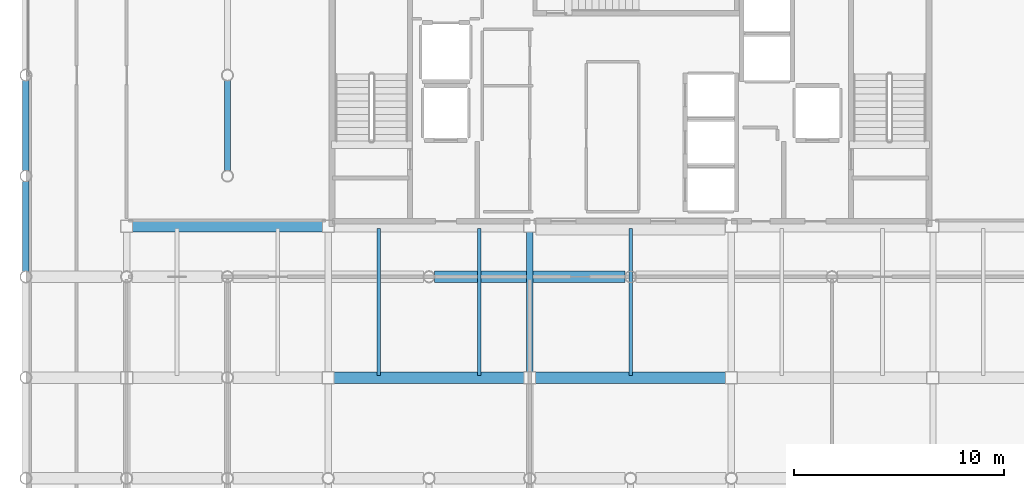
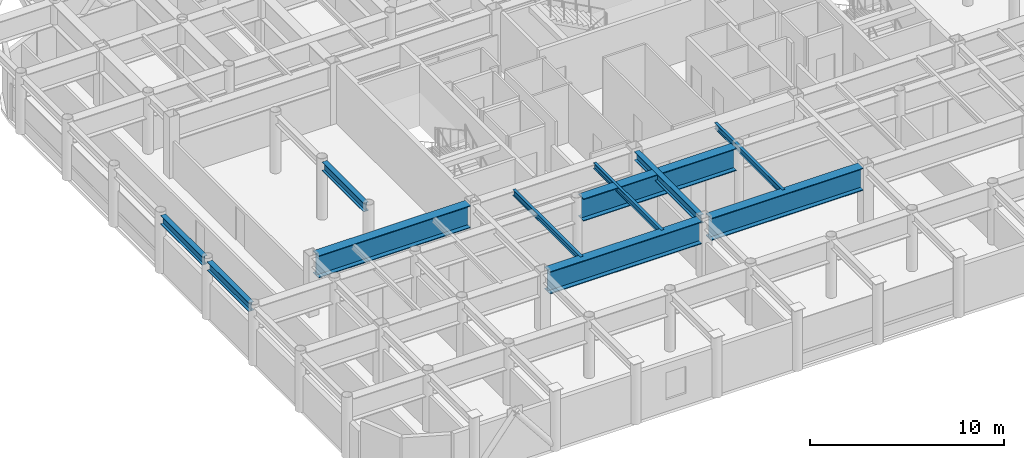
# One storey, part 6 of 24: 11 beams.
"""IFC4 building model written with IfcOpenShell, lengths in metres."""

from ifc_helpers import new_model, si_unit, direction, frame, origin, origin_2d, place, context, subcontext, project, spatial, i_section, extrude, material, material_profile, profile_set, type_object, element, save


model = new_model("IFC4")

# Units and contexts
model_context = context("Model", 3, precision=1e-05, world=origin(), true_north=direction((0.0, 1.0)))
body_context = subcontext(model_context, "Body", "Model", "MODEL_VIEW")
ifc_project = project(units=[si_unit("LENGTHUNIT", "METRE"), si_unit("AREAUNIT", "SQUARE_METRE"), si_unit("VOLUMEUNIT", "CUBIC_METRE"), si_unit("PLANEANGLEUNIT", "RADIAN"), si_unit("MASSUNIT", "GRAM", prefix="KILO")], contexts=[model_context])

# Site, building, storey
site_placement = place(None, origin())
site = spatial("IfcSite", under=ifc_project, at=site_placement, CompositionType="ELEMENT")
building_placement = place(site_placement, origin())
building = spatial("IfcBuilding", under=site, at=building_placement, Name="Kallvorn Hotel Tower", CompositionType="ELEMENT")
storey_placement = place(building_placement, frame((0.0, 0.0, 218.449951171875)))
storey = spatial("IfcBuildingStorey", under=building, at=storey_placement, Name="L54", CompositionType="ELEMENT", Elevation=218.449951171875)

# Beams
ifc_material_1 = material(Name="Structural steel S355JR", Category="steel")
ifc_material_profile_1 = material_profile(ifc_material_1, i_section(OverallWidth=0.300048828125, OverallDepth=0.550048828125, WebThickness=0.014892578125, FlangeThickness=0.029052734375, at=origin_2d()), Name="HE 550 B")
ifc_profile_set_1 = profile_set([ifc_material_profile_1], Name="Structural steel S355JR")
beam_type_1 = type_object("IfcBeamType", Name="BM_HE550B", PredefinedType="SPANDREL", material=ifc_profile_set_1)
for number, where, z_axis, x_axis, name in (
    (1, (-28.800048828125, -9.345458984375, 3.39501953125), (0.0, 1.0, 0.0), (-1.0, 0.0, 0.0), "L55 Primary Y-Girder 88"),
    (2, (-28.800048828125, -4.54541015625, 3.39501953125), (0.0, 1.0, 0.0), (-1.0, 0.0, 0.0), "L55 Primary Y-Girder 89"),
    (3, (-19.199951171875, -4.54541015625, 3.39501953125), (0.0, 1.0, 0.0), (-1.0, 0.0, 0.0), "L55 Primary Y-Girder 105"),
):
    element("IfcBeam", number, at=place(storey_placement, frame(where, z_axis=z_axis, x_axis=x_axis)), inside=storey, type_object=beam_type_1, Name=name, PredefinedType="SPANDREL", context=body_context, shape_type="SweptSolid", body=[
        extrude(i_section(OverallWidth=0.300048828125, OverallDepth=0.550048828125, WebThickness=0.014892578125, FlangeThickness=0.029052734375, at=origin_2d()), origin(), (0.0, 0.0, 1.0), 4.291015625),
    ])
beam_1_placement = place(storey_placement, frame((-4.800048828125, -14.125, 3.39501953125), z_axis=(0.0, 1.0, 0.0), x_axis=(-1.0, 0.0, 0.0)))
element("IfcBeam", 4, at=beam_1_placement, inside=storey, type_object=beam_type_1, Name="L55 Primary Y-Girder 120", PredefinedType="SPANDREL", context=body_context, shape_type="SweptSolid", body=[
    extrude(i_section(OverallWidth=0.300048828125, OverallDepth=0.550048828125, WebThickness=0.014892578125, FlangeThickness=0.029052734375, at=origin_2d()), origin(), (0.0, 0.0, 1.0), 6.64990234375),
])
ifc_material_2 = material(Name="Structural steel S355JR", Category="steel")
ifc_material_profile_2 = material_profile(ifc_material_2, i_section(OverallWidth=0.169921875, OverallDepth=0.360107421875, WebThickness=0.008056640625, FlangeThickness=0.0126953125, at=origin_2d()), Name="IPE 360")
ifc_profile_set_2 = profile_set([ifc_material_profile_2], Name="Structural steel S355JR")
beam_type_2 = type_object("IfcBeamType", Name="BM_IPE360", PredefinedType="JOIST", material=ifc_profile_set_2)
for number, where, z_axis, x_axis, name in (
    (5, (-12.0, -14.300048828125, 3.489990234375), (0.0, 1.0, 0.0), (-1.0, 0.0, 0.0), "L55 Secondary Composite Joist 209"),
    (6, (-7.199951171875, -14.300048828125, 3.489990234375), (0.0, 1.0, 0.0), (-1.0, 0.0, 0.0), "L55 Secondary Composite Joist 211"),
    (7, (0.0, -14.300048828125, 3.489990234375), (0.0, 1.0, 0.0), (-1.0, 0.0, 0.0), "L55 Secondary Composite Joist 213"),
):
    element("IfcBeam", number, at=place(storey_placement, frame(where, z_axis=z_axis, x_axis=x_axis)), inside=storey, type_object=beam_type_2, Name=name, PredefinedType="JOIST", context=body_context, shape_type="SweptSolid", body=[
        extrude(i_section(OverallWidth=0.169921875, OverallDepth=0.360107421875, WebThickness=0.008056640625, FlangeThickness=0.0126953125, at=origin_2d()), origin(), (0.0, 0.0, 1.0), 7.0),
    ])
ifc_material_3 = material(Name="Structural steel S355JR", Category="steel")
ifc_material_profile_3 = material_profile(ifc_material_3, i_section(OverallWidth=0.550048828125, OverallDepth=1.39990234375, WebThickness=0.02490234375, FlangeThickness=0.044921875, at=origin_2d()), Name="PG 1400x550x25x45")
ifc_profile_set_3 = profile_set([ifc_material_profile_3], Name="Structural steel S355JR")
beam_type_3 = type_object("IfcBeamType", Name="BM_PG_1400", PredefinedType="BEAM", material=ifc_profile_set_3)
beam_2_placement = place(storey_placement, frame((-14.125, -14.39990234375, 2.969970703125), z_axis=(1.0, 0.0, 0.0), x_axis=(0.0, 1.0, 0.0)))
element("IfcBeam", 8, at=beam_2_placement, inside=storey, type_object=beam_type_3, Name="L55 Primary X-Girder 30", PredefinedType="BEAM", context=body_context, shape_type="SweptSolid", body=[
    extrude(i_section(OverallWidth=0.550048828125, OverallDepth=1.39990234375, WebThickness=0.02490234375, FlangeThickness=0.044921875, at=origin_2d()), origin(), (0.0, 0.0, 1.0), 9.050048828125),
])
beam_3_placement = place(storey_placement, frame((-4.52490234375, -14.39990234375, 2.969970703125), z_axis=(1.0, 0.0, 0.0), x_axis=(0.0, 1.0, 0.0)))
element("IfcBeam", 9, at=beam_3_placement, inside=storey, type_object=beam_type_3, Name="L55 Primary X-Girder 31", PredefinedType="BEAM", context=body_context, shape_type="SweptSolid", body=[
    extrude(i_section(OverallWidth=0.550048828125, OverallDepth=1.39990234375, WebThickness=0.02490234375, FlangeThickness=0.044921875, at=origin_2d()), origin(), (0.0, 0.0, 1.0), 9.0498046875),
])
beam_4_placement = place(storey_placement, frame((-9.345458984375, -9.60009765625, 2.969970703125), z_axis=(1.0, 0.0, 0.0), x_axis=(0.0, 1.0, 0.0)))
element("IfcBeam", 10, at=beam_4_placement, inside=storey, type_object=beam_type_3, Name="L55 Primary X-Girder 40", PredefinedType="BEAM", context=body_context, shape_type="SweptSolid", body=[
    extrude(i_section(OverallWidth=0.550048828125, OverallDepth=1.39990234375, WebThickness=0.02490234375, FlangeThickness=0.044921875, at=origin_2d()), origin(), (0.0, 0.0, 1.0), 9.091064453125),
])
beam_5_placement = place(storey_placement, frame((-23.72509765625, -7.199951171875, 2.969970703125), z_axis=(1.0, 0.0, 0.0), x_axis=(0.0, 1.0, 0.0)))
element("IfcBeam", 11, at=beam_5_placement, inside=storey, type_object=beam_type_3, Name="L55 Primary X-Girder 46", PredefinedType="BEAM", context=body_context, shape_type="SweptSolid", body=[
    extrude(i_section(OverallWidth=0.550048828125, OverallDepth=1.39990234375, WebThickness=0.02490234375, FlangeThickness=0.044921875, at=origin_2d()), origin(), (0.0, 0.0, 1.0), 9.050048828125),
])

save(model, "model.ifc")
